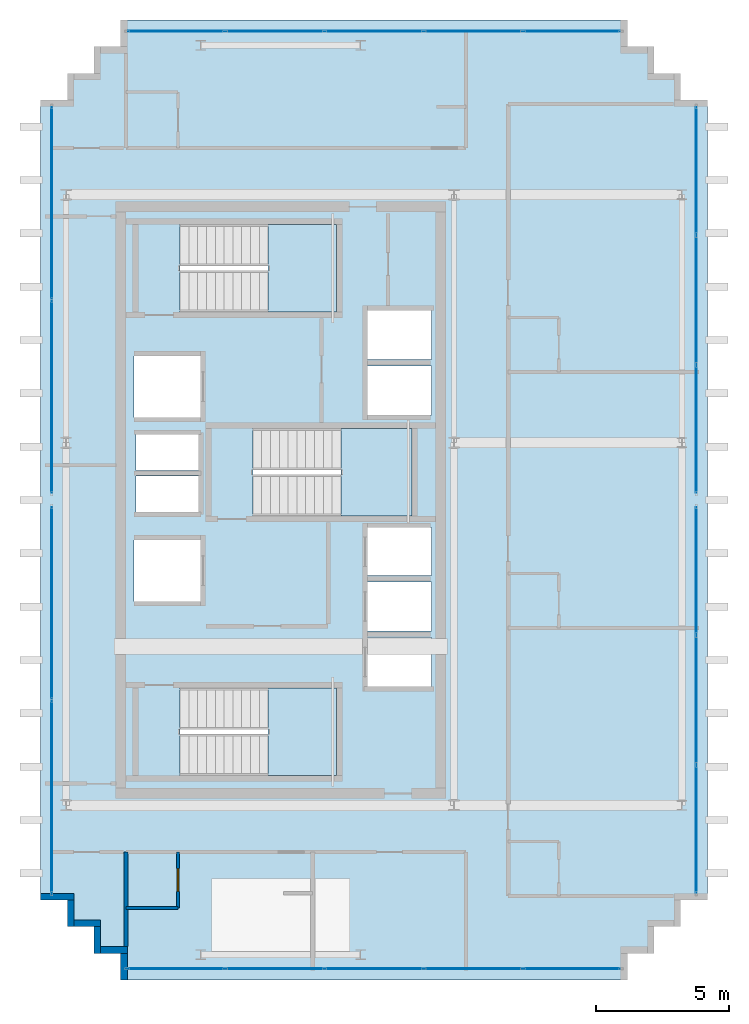
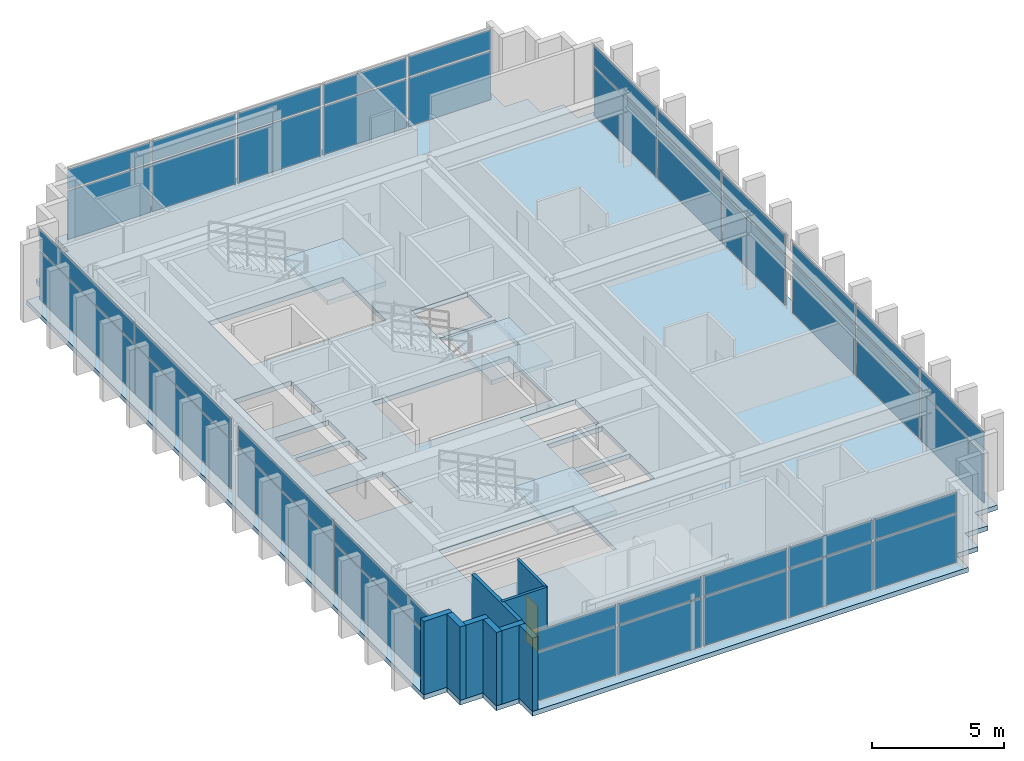
# One storey, part 11 of 15: 40 plates, 9 walls, 4 slabs, 1 door, 1 opening, 9 elements without a shape of their own.
"""IFC4 building model written with IfcOpenShell, lengths in metres."""

from ifc_helpers import new_model, si_unit, direction, frame, frame_2d, origin, origin_2d, place, context, subcontext, project, spatial, polyline, rectangle, outline, extrude, source, transform, mapped, material, layer, layer_set, type_object, element, fill, aggregate, save


model = new_model("IFC4")

# Units and contexts
model_context = context("Model", 3, precision=1e-05, world=origin(), true_north=direction((0.0, 1.0)))
body_context = subcontext(model_context, "Body", "Model", "MODEL_VIEW")
ifc_project = project(units=[si_unit("LENGTHUNIT", "METRE"), si_unit("AREAUNIT", "SQUARE_METRE"), si_unit("VOLUMEUNIT", "CUBIC_METRE"), si_unit("PLANEANGLEUNIT", "RADIAN"), si_unit("MASSUNIT", "GRAM", prefix="KILO")], contexts=[model_context])

# Site, building, storey
site_placement = place(None, origin())
site = spatial("IfcSite", under=ifc_project, at=site_placement, CompositionType="ELEMENT")
building_placement = place(site_placement, origin())
building = spatial("IfcBuilding", under=site, at=building_placement, Name="Ocotamira Hotel", CompositionType="ELEMENT")
storey_placement = place(building_placement, frame((0.0, 0.0, 276.0)))
storey = spatial("IfcBuildingStorey", under=building, at=storey_placement, Name="L70", CompositionType="ELEMENT", Elevation=276.0)

# Stair, slab
ifc_material_1 = material(Name="Concrete C40/50", Category="concrete")
stair_type = type_object("IfcStairType", Name="ST-CORE-1560", PredefinedType="HALF_TURN_STAIR", material=ifc_material_1)
stair_1_placement = place(storey_placement, origin())
stair_1 = element("IfcStair", 1, at=stair_1_placement, inside=storey, type_object=stair_type, Name="L70 Exit Stair ST-1", PredefinedType="HALF_TURN_STAIR")
ifc_layer_1 = layer(ifc_material_1, 0.199951171875)
ifc_layer_set_1 = layer_set([ifc_layer_1], Name="Concrete C40/50")
slab_type_1 = type_object("IfcSlabType", Name="SLB-LAND-200", PredefinedType="LANDING", material=ifc_layer_set_1)
slab_1_placement = place(storey_placement, frame((0.0, 0.0, 1.60009765625)))
slab_1 = element("IfcSlab", 2, at=slab_1_placement, type_object=slab_type_1, Name="ST-1 landing 1", PredefinedType="LANDING", context=body_context, shape_type="SweptSolid", body=[
    extrude(outline(polyline([(16.530029296875, 15.669921875), (19.090087890625, 15.669921875), (19.090087890625, 18.949951171875), (16.530029296875, 18.949951171875), (16.530029296875, 15.669921875)])), origin(), (0.0, 0.0, 1.0), 0.199951171875),
])
aggregate(stair_1, [slab_1])

stair_2_placement = place(storey_placement, origin())
stair_2 = element("IfcStair", 3, at=stair_2_placement, inside=storey, type_object=stair_type, Name="L70 Exit Stair ST-2", PredefinedType="HALF_TURN_STAIR")
slab_2_placement = place(storey_placement, frame((0.0, 0.0, 1.60009765625)))
slab_2 = element("IfcSlab", 4, at=slab_2_placement, type_object=slab_type_1, Name="ST-2 landing 1", PredefinedType="LANDING", context=body_context, shape_type="SweptSolid", body=[
    extrude(outline(polyline([(16.530029296875, 33.050048828125), (19.090087890625, 33.050048828125), (19.090087890625, 36.330078125), (16.530029296875, 36.330078125), (16.530029296875, 33.050048828125)])), origin(), (0.0, 0.0, 1.0), 0.199951171875),
])
aggregate(stair_2, [slab_2])

stair_3_placement = place(storey_placement, origin())
stair_3 = element("IfcStair", 5, at=stair_3_placement, inside=storey, type_object=stair_type, Name="L70 Exit Stair ST-3", PredefinedType="HALF_TURN_STAIR")
slab_3_placement = place(storey_placement, frame((0.0, 0.0, 1.60009765625)))
slab_3 = element("IfcSlab", 6, at=slab_3_placement, type_object=slab_type_1, Name="ST-3 landing 1", PredefinedType="LANDING", context=body_context, shape_type="SweptSolid", body=[
    extrude(outline(polyline([(19.260009765625, 25.39990234375), (21.919921875, 25.39990234375), (21.919921875, 28.679931640625), (19.260009765625, 28.679931640625), (19.260009765625, 25.39990234375)])), origin(), (0.0, 0.0, 1.0), 0.199951171875),
])
aggregate(stair_3, [slab_3])

# Slab
ifc_layer_2 = layer(ifc_material_1, 0.219970703125)
ifc_layer_set_2 = layer_set([ifc_layer_2], Name="Concrete C40/50")
slab_type_2 = type_object("IfcSlabType", Name="SLB-UPP-220", PredefinedType="FLOOR", material=ifc_layer_set_2)
slab_4_placement = place(storey_placement, frame((0.0, 0.0, -0.219970703125)))
element("IfcSlab", 7, at=slab_4_placement, inside=storey, type_object=slab_type_2, Name="L70 Structural Floor Slab", PredefinedType="FLOOR", context=body_context, shape_type="SweptSolid", body=[
    extrude(outline(polyline([(11.0, 8.0), (30.0, 8.0), (30.0, 9.0), (31.0, 9.0), (31.0, 10.0), (32.0, 10.0), (32.0, 11.0), (33.0, 11.0), (33.0, 41.0), (32.0, 41.0), (32.0, 42.0), (31.0, 42.0), (31.0, 43.0), (30.0, 43.0), (30.0, 44.0), (11.0, 44.0), (11.0, 43.0), (10.0, 43.0), (10.0, 42.0), (9.0, 42.0), (9.0, 41.0), (8.0, 41.0), (8.0, 11.0), (9.0, 11.0), (9.0, 10.0), (10.0, 10.0), (10.0, 9.0), (11.0, 9.0), (11.0, 8.0)]), holes=[polyline([(13.22998046875, 15.669921875), (19.090087890625, 15.669921875), (19.090087890625, 18.949951171875), (13.22998046875, 18.949951171875), (13.22998046875, 15.669921875)]), polyline([(13.22998046875, 33.050048828125), (19.090087890625, 33.050048828125), (19.090087890625, 36.330078125), (13.22998046875, 36.330078125), (13.22998046875, 33.050048828125)]), polyline([(15.9599609375, 25.39990234375), (21.919921875, 25.39990234375), (21.919921875, 28.679931640625), (15.9599609375, 28.679931640625), (15.9599609375, 25.39990234375)]), polyline([(20.25, 19.0), (22.659912109375, 19.0), (22.659912109375, 20.85009765625), (20.25, 20.85009765625), (20.25, 19.0)]), polyline([(20.25, 21.080078125), (22.659912109375, 21.080078125), (22.659912109375, 22.929931640625), (20.25, 22.929931640625), (20.25, 21.080078125)]), polyline([(20.25, 23.159912109375), (22.659912109375, 23.159912109375), (22.659912109375, 24.9599609375), (20.25, 24.9599609375), (20.25, 23.159912109375)]), polyline([(20.25, 29.179931640625), (22.659912109375, 29.179931640625), (22.659912109375, 31.030029296875), (20.25, 31.030029296875), (20.25, 29.179931640625)]), polyline([(20.25, 31.260009765625), (22.659912109375, 31.260009765625), (22.659912109375, 33.110107421875), (20.25, 33.110107421875), (20.25, 31.260009765625)]), polyline([(11.5, 22.199951171875), (14.0, 22.199951171875), (14.0, 24.5), (11.5, 24.5), (11.5, 22.199951171875)]), polyline([(11.5, 29.10009765625), (14.0, 29.10009765625), (14.0, 31.39990234375), (11.5, 31.39990234375), (11.5, 29.10009765625)]), polyline([(11.580078125, 25.550048828125), (13.919921875, 25.550048828125), (13.919921875, 26.89990234375), (11.580078125, 26.89990234375), (11.580078125, 25.550048828125)]), polyline([(11.580078125, 27.10009765625), (13.919921875, 27.10009765625), (13.919921875, 28.449951171875), (11.580078125, 28.449951171875), (11.580078125, 27.10009765625)])]), origin(), (0.0, 0.0, 1.0), 0.219970703125),
])

# Curtain wall, plates
ifc_material_2 = material(Name="Anodised pale-metal aluminium and solar glass", Category="aluminium")
ifc_layer_3 = layer(ifc_material_2, 0.2099609375)
ifc_layer_set_3 = layer_set([ifc_layer_3], Name="Anodised pale-metal aluminium and solar glass")
curtain_wall_type = type_object("IfcCurtainWallType", Name="CW-SYS7-PEAK", PredefinedType="NOTDEFINED", material=ifc_layer_set_3)
curtain_wall_1_placement = place(storey_placement, origin())
curtain_wall_1 = element("IfcCurtainWall", 8, at=curtain_wall_1_placement, inside=storey, type_object=curtain_wall_type, Name="L70 Curtain Wall CW-7 CW-L70-W1", PredefinedType="NOTDEFINED")
ifc_material_3 = material(Name="Double-silver low-E insulated solar glass", Category="glass")
ifc_layer_4 = layer(ifc_material_3, 0.031982421875)
ifc_layer_set_4 = layer_set([ifc_layer_4], Name="Double-silver low-E insulated solar glass")
plate_type = type_object("IfcPlateType", Name="CWP-VISION-32", PredefinedType="CURTAIN_PANEL", material=ifc_layer_set_4)
shared_shape_1 = source(origin(), body_context, "Body", "SweptSolid", [
    extrude(rectangle(XDim=7.179931640625, YDim=0.031982421875, at=origin_2d()), origin(), (0.0, 0.0, 1.0), 2.237548828125),
])
plate_1_placement = place(storey_placement, frame((8.419921875, 14.8701171875, 0.0751953125), z_axis=(0.0, 0.0, 1.0), x_axis=(0.0, 1.0, 0.0)))
plate_1 = element("IfcPlate", 9, at=plate_1_placement, type_object=plate_type, Name="CW-7 panel 1.1", PredefinedType="CURTAIN_PANEL", context=body_context, shape_type="MappedRepresentation", body=[
    mapped(shared_shape_1, transform((0.0, 0.0, 0.0), scale=1.0)),
])
plate_2_placement = place(storey_placement, frame((8.419921875, 22.1298828125, 0.0751953125), z_axis=(0.0, 0.0, 1.0), x_axis=(0.0, 1.0, 0.0)))
plate_2 = element("IfcPlate", 10, at=plate_2_placement, type_object=plate_type, Name="CW-7 panel 2.1", PredefinedType="CURTAIN_PANEL", context=body_context, shape_type="MappedRepresentation", body=[
    mapped(shared_shape_1, transform((0.0, 0.0, 0.0), scale=1.0)),
])

curtain_wall_2_placement = place(storey_placement, origin())
curtain_wall_2 = element("IfcCurtainWall", 11, at=curtain_wall_2_placement, inside=storey, type_object=curtain_wall_type, Name="L70 Curtain Wall CW-7 CW-L70-W2", PredefinedType="NOTDEFINED")
plate_3_placement = place(storey_placement, frame((8.419921875, 29.8701171875, 0.0751953125), z_axis=(0.0, 0.0, 1.0), x_axis=(0.0, 1.0, 0.0)))
plate_3 = element("IfcPlate", 12, at=plate_3_placement, type_object=plate_type, Name="CW-7 panel 1.1", PredefinedType="CURTAIN_PANEL", context=body_context, shape_type="MappedRepresentation", body=[
    mapped(shared_shape_1, transform((0.0, 0.0, 0.0), scale=1.0)),
])
plate_4_placement = place(storey_placement, frame((8.419921875, 37.1298828125, 0.0751953125), z_axis=(0.0, 0.0, 1.0), x_axis=(0.0, 1.0, 0.0)))
plate_4 = element("IfcPlate", 13, at=plate_4_placement, type_object=plate_type, Name="CW-7 panel 2.1", PredefinedType="CURTAIN_PANEL", context=body_context, shape_type="MappedRepresentation", body=[
    mapped(shared_shape_1, transform((0.0, 0.0, 0.0), scale=1.0)),
])

# Plate
shared_shape_2 = source(origin(), body_context, "Body", "SweptSolid", [
    extrude(rectangle(XDim=7.179931640625, YDim=0.031982421875, at=origin_2d()), origin(), (0.0, 0.0, 1.0), 0.91748046875),
])
plate_5_placement = place(storey_placement, frame((8.419921875, 14.8701171875, 2.387451171875), z_axis=(0.0, 0.0, 1.0), x_axis=(0.0, 1.0, 0.0)))
plate_5 = element("IfcPlate", 14, at=plate_5_placement, type_object=plate_type, Name="CW-7 panel 1.2", PredefinedType="CURTAIN_PANEL", context=body_context, shape_type="MappedRepresentation", body=[
    mapped(shared_shape_2, transform((0.0, 0.0, 0.0), scale=1.0)),
])

plate_6_placement = place(storey_placement, frame((8.419921875, 22.1298828125, 2.387451171875), z_axis=(0.0, 0.0, 1.0), x_axis=(0.0, 1.0, 0.0)))
plate_6 = element("IfcPlate", 15, at=plate_6_placement, type_object=plate_type, Name="CW-7 panel 2.2", PredefinedType="CURTAIN_PANEL", context=body_context, shape_type="MappedRepresentation", body=[
    mapped(shared_shape_2, transform((0.0, 0.0, 0.0), scale=1.0)),
])

aggregate(curtain_wall_1, [plate_1, plate_5, plate_2, plate_6])

plate_7_placement = place(storey_placement, frame((8.419921875, 29.8701171875, 2.387451171875), z_axis=(0.0, 0.0, 1.0), x_axis=(0.0, 1.0, 0.0)))
plate_7 = element("IfcPlate", 16, at=plate_7_placement, type_object=plate_type, Name="CW-7 panel 1.2", PredefinedType="CURTAIN_PANEL", context=body_context, shape_type="MappedRepresentation", body=[
    mapped(shared_shape_2, transform((0.0, 0.0, 0.0), scale=1.0)),
])

plate_8_placement = place(storey_placement, frame((8.419921875, 37.1298828125, 2.387451171875), z_axis=(0.0, 0.0, 1.0), x_axis=(0.0, 1.0, 0.0)))
plate_8 = element("IfcPlate", 17, at=plate_8_placement, type_object=plate_type, Name="CW-7 panel 2.2", PredefinedType="CURTAIN_PANEL", context=body_context, shape_type="MappedRepresentation", body=[
    mapped(shared_shape_2, transform((0.0, 0.0, 0.0), scale=1.0)),
])

aggregate(curtain_wall_2, [plate_3, plate_7, plate_4, plate_8])

# Curtain wall, plates
curtain_wall_3_placement = place(storey_placement, origin())
curtain_wall_3 = element("IfcCurtainWall", 18, at=curtain_wall_3_placement, inside=storey, type_object=curtain_wall_type, Name="L70 Curtain Wall CW-7 CW-L70-S1", PredefinedType="NOTDEFINED")
shared_shape_3 = source(origin(), body_context, "Body", "SweptSolid", [
    extrude(rectangle(XDim=3.60009765625, YDim=0.031982421875, at=origin_2d()), origin(), (0.0, 0.0, 1.0), 2.237548828125),
])
plate_9_placement = place(storey_placement, frame((13.080078125, 8.419921875, 0.0751953125), z_axis=(0.0, 0.0, 1.0), x_axis=(1.0, 0.0, 0.0)))
plate_9 = element("IfcPlate", 19, at=plate_9_placement, type_object=plate_type, Name="CW-7 panel 1.1", PredefinedType="CURTAIN_PANEL", context=body_context, shape_type="MappedRepresentation", body=[
    mapped(shared_shape_3, transform((0.0, 0.0, 0.0), scale=1.0)),
])
plate_10_placement = place(storey_placement, frame((27.919921875, 8.419921875, 0.0751953125), z_axis=(0.0, 0.0, 1.0), x_axis=(1.0, 0.0, 0.0)))
plate_10 = element("IfcPlate", 20, at=plate_10_placement, type_object=plate_type, Name="CW-7 panel 5.1", PredefinedType="CURTAIN_PANEL", context=body_context, shape_type="MappedRepresentation", body=[
    mapped(shared_shape_3, transform((0.0, 0.0, 0.0), scale=1.0)),
])

curtain_wall_4_placement = place(storey_placement, origin())
curtain_wall_4 = element("IfcCurtainWall", 21, at=curtain_wall_4_placement, inside=storey, type_object=curtain_wall_type, Name="L70 Curtain Wall CW-7 CW-L70-N", PredefinedType="NOTDEFINED")
plate_11_placement = place(storey_placement, frame((13.080078125, 43.580078125, 0.0751953125), z_axis=(0.0, 0.0, 1.0), x_axis=(1.0, 0.0, 0.0)))
plate_11 = element("IfcPlate", 22, at=plate_11_placement, type_object=plate_type, Name="CW-7 panel 1.1", PredefinedType="CURTAIN_PANEL", context=body_context, shape_type="MappedRepresentation", body=[
    mapped(shared_shape_3, transform((0.0, 0.0, 0.0), scale=1.0)),
])
plate_12_placement = place(storey_placement, frame((27.919921875, 43.580078125, 0.0751953125), z_axis=(0.0, 0.0, 1.0), x_axis=(1.0, 0.0, 0.0)))
plate_12 = element("IfcPlate", 23, at=plate_12_placement, type_object=plate_type, Name="CW-7 panel 5.1", PredefinedType="CURTAIN_PANEL", context=body_context, shape_type="MappedRepresentation", body=[
    mapped(shared_shape_3, transform((0.0, 0.0, 0.0), scale=1.0)),
])

# Plate
shared_shape_4 = source(origin(), body_context, "Body", "SweptSolid", [
    extrude(rectangle(XDim=3.60009765625, YDim=0.031982421875, at=origin_2d()), origin(), (0.0, 0.0, 1.0), 0.91748046875),
])
plate_13_placement = place(storey_placement, frame((13.080078125, 8.419921875, 2.387451171875), z_axis=(0.0, 0.0, 1.0), x_axis=(1.0, 0.0, 0.0)))
plate_13 = element("IfcPlate", 24, at=plate_13_placement, type_object=plate_type, Name="CW-7 panel 1.2", PredefinedType="CURTAIN_PANEL", context=body_context, shape_type="MappedRepresentation", body=[
    mapped(shared_shape_4, transform((0.0, 0.0, 0.0), scale=1.0)),
])

plate_14_placement = place(storey_placement, frame((27.919921875, 8.419921875, 2.387451171875), z_axis=(0.0, 0.0, 1.0), x_axis=(1.0, 0.0, 0.0)))
plate_14 = element("IfcPlate", 25, at=plate_14_placement, type_object=plate_type, Name="CW-7 panel 5.2", PredefinedType="CURTAIN_PANEL", context=body_context, shape_type="MappedRepresentation", body=[
    mapped(shared_shape_4, transform((0.0, 0.0, 0.0), scale=1.0)),
])

plate_15_placement = place(storey_placement, frame((13.080078125, 43.580078125, 2.387451171875), z_axis=(0.0, 0.0, 1.0), x_axis=(1.0, 0.0, 0.0)))
plate_15 = element("IfcPlate", 26, at=plate_15_placement, type_object=plate_type, Name="CW-7 panel 1.2", PredefinedType="CURTAIN_PANEL", context=body_context, shape_type="MappedRepresentation", body=[
    mapped(shared_shape_4, transform((0.0, 0.0, 0.0), scale=1.0)),
])

plate_16_placement = place(storey_placement, frame((27.919921875, 43.580078125, 2.387451171875), z_axis=(0.0, 0.0, 1.0), x_axis=(1.0, 0.0, 0.0)))
plate_16 = element("IfcPlate", 27, at=plate_16_placement, type_object=plate_type, Name="CW-7 panel 5.2", PredefinedType="CURTAIN_PANEL", context=body_context, shape_type="MappedRepresentation", body=[
    mapped(shared_shape_4, transform((0.0, 0.0, 0.0), scale=1.0)),
])

shared_shape_5 = source(origin(), body_context, "Body", "SweptSolid", [
    extrude(rectangle(XDim=3.639892578125, YDim=0.031982421875, at=origin_2d()), origin(), (0.0, 0.0, 1.0), 2.237548828125),
])
plate_17_placement = place(storey_placement, frame((16.780029296875, 8.419921875, 0.0751953125), z_axis=(0.0, 0.0, 1.0), x_axis=(1.0, 0.0, 0.0)))
plate_17 = element("IfcPlate", 28, at=plate_17_placement, type_object=plate_type, Name="CW-7 panel 2.1", PredefinedType="CURTAIN_PANEL", context=body_context, shape_type="MappedRepresentation", body=[
    mapped(shared_shape_5, transform((0.0, 0.0, 0.0), scale=1.0)),
])

plate_18_placement = place(storey_placement, frame((20.5, 8.419921875, 0.0751953125), z_axis=(0.0, 0.0, 1.0), x_axis=(1.0, 0.0, 0.0)))
plate_18 = element("IfcPlate", 29, at=plate_18_placement, type_object=plate_type, Name="CW-7 panel 3.1", PredefinedType="CURTAIN_PANEL", context=body_context, shape_type="MappedRepresentation", body=[
    mapped(shared_shape_5, transform((0.0, 0.0, 0.0), scale=1.0)),
])

plate_19_placement = place(storey_placement, frame((24.219970703125, 8.419921875, 0.0751953125), z_axis=(0.0, 0.0, 1.0), x_axis=(1.0, 0.0, 0.0)))
plate_19 = element("IfcPlate", 30, at=plate_19_placement, type_object=plate_type, Name="CW-7 panel 4.1", PredefinedType="CURTAIN_PANEL", context=body_context, shape_type="MappedRepresentation", body=[
    mapped(shared_shape_5, transform((0.0, 0.0, 0.0), scale=1.0)),
])

plate_20_placement = place(storey_placement, frame((16.780029296875, 43.580078125, 0.0751953125), z_axis=(0.0, 0.0, 1.0), x_axis=(1.0, 0.0, 0.0)))
plate_20 = element("IfcPlate", 31, at=plate_20_placement, type_object=plate_type, Name="CW-7 panel 2.1", PredefinedType="CURTAIN_PANEL", context=body_context, shape_type="MappedRepresentation", body=[
    mapped(shared_shape_5, transform((0.0, 0.0, 0.0), scale=1.0)),
])

plate_21_placement = place(storey_placement, frame((20.5, 43.580078125, 0.0751953125), z_axis=(0.0, 0.0, 1.0), x_axis=(1.0, 0.0, 0.0)))
plate_21 = element("IfcPlate", 32, at=plate_21_placement, type_object=plate_type, Name="CW-7 panel 3.1", PredefinedType="CURTAIN_PANEL", context=body_context, shape_type="MappedRepresentation", body=[
    mapped(shared_shape_5, transform((0.0, 0.0, 0.0), scale=1.0)),
])

plate_22_placement = place(storey_placement, frame((24.219970703125, 43.580078125, 0.0751953125), z_axis=(0.0, 0.0, 1.0), x_axis=(1.0, 0.0, 0.0)))
plate_22 = element("IfcPlate", 33, at=plate_22_placement, type_object=plate_type, Name="CW-7 panel 4.1", PredefinedType="CURTAIN_PANEL", context=body_context, shape_type="MappedRepresentation", body=[
    mapped(shared_shape_5, transform((0.0, 0.0, 0.0), scale=1.0)),
])

shared_shape_6 = source(origin(), body_context, "Body", "SweptSolid", [
    extrude(rectangle(XDim=3.639892578125, YDim=0.031982421875, at=origin_2d()), origin(), (0.0, 0.0, 1.0), 0.91748046875),
])
plate_23_placement = place(storey_placement, frame((16.780029296875, 8.419921875, 2.387451171875), z_axis=(0.0, 0.0, 1.0), x_axis=(1.0, 0.0, 0.0)))
plate_23 = element("IfcPlate", 34, at=plate_23_placement, type_object=plate_type, Name="CW-7 panel 2.2", PredefinedType="CURTAIN_PANEL", context=body_context, shape_type="MappedRepresentation", body=[
    mapped(shared_shape_6, transform((0.0, 0.0, 0.0), scale=1.0)),
])

plate_24_placement = place(storey_placement, frame((20.5, 8.419921875, 2.387451171875), z_axis=(0.0, 0.0, 1.0), x_axis=(1.0, 0.0, 0.0)))
plate_24 = element("IfcPlate", 35, at=plate_24_placement, type_object=plate_type, Name="CW-7 panel 3.2", PredefinedType="CURTAIN_PANEL", context=body_context, shape_type="MappedRepresentation", body=[
    mapped(shared_shape_6, transform((0.0, 0.0, 0.0), scale=1.0)),
])

plate_25_placement = place(storey_placement, frame((24.219970703125, 8.419921875, 2.387451171875), z_axis=(0.0, 0.0, 1.0), x_axis=(1.0, 0.0, 0.0)))
plate_25 = element("IfcPlate", 36, at=plate_25_placement, type_object=plate_type, Name="CW-7 panel 4.2", PredefinedType="CURTAIN_PANEL", context=body_context, shape_type="MappedRepresentation", body=[
    mapped(shared_shape_6, transform((0.0, 0.0, 0.0), scale=1.0)),
])

aggregate(curtain_wall_3, [plate_9, plate_13, plate_17, plate_23, plate_18, plate_24, plate_19, plate_25, plate_10, plate_14])

plate_26_placement = place(storey_placement, frame((16.780029296875, 43.580078125, 2.387451171875), z_axis=(0.0, 0.0, 1.0), x_axis=(1.0, 0.0, 0.0)))
plate_26 = element("IfcPlate", 37, at=plate_26_placement, type_object=plate_type, Name="CW-7 panel 2.2", PredefinedType="CURTAIN_PANEL", context=body_context, shape_type="MappedRepresentation", body=[
    mapped(shared_shape_6, transform((0.0, 0.0, 0.0), scale=1.0)),
])

plate_27_placement = place(storey_placement, frame((20.5, 43.580078125, 2.387451171875), z_axis=(0.0, 0.0, 1.0), x_axis=(1.0, 0.0, 0.0)))
plate_27 = element("IfcPlate", 38, at=plate_27_placement, type_object=plate_type, Name="CW-7 panel 3.2", PredefinedType="CURTAIN_PANEL", context=body_context, shape_type="MappedRepresentation", body=[
    mapped(shared_shape_6, transform((0.0, 0.0, 0.0), scale=1.0)),
])

plate_28_placement = place(storey_placement, frame((24.219970703125, 43.580078125, 2.387451171875), z_axis=(0.0, 0.0, 1.0), x_axis=(1.0, 0.0, 0.0)))
plate_28 = element("IfcPlate", 39, at=plate_28_placement, type_object=plate_type, Name="CW-7 panel 4.2", PredefinedType="CURTAIN_PANEL", context=body_context, shape_type="MappedRepresentation", body=[
    mapped(shared_shape_6, transform((0.0, 0.0, 0.0), scale=1.0)),
])

aggregate(curtain_wall_4, [plate_11, plate_15, plate_20, plate_26, plate_21, plate_27, plate_22, plate_28, plate_12, plate_16])

# Curtain wall, plates
curtain_wall_5_placement = place(storey_placement, origin())
curtain_wall_5 = element("IfcCurtainWall", 40, at=curtain_wall_5_placement, inside=storey, type_object=curtain_wall_type, Name="L70 Curtain Wall CW-7 CW-L70-E1", PredefinedType="NOTDEFINED")
shared_shape_7 = source(origin(), body_context, "Body", "SweptSolid", [
    extrude(rectangle(XDim=4.74658203125, YDim=0.031982421875, at=origin_2d()), origin(), (0.0, 0.0, 1.0), 2.237548828125),
])
plate_29_placement = place(storey_placement, frame((32.580078125, 13.6533203125, 0.0751953125), z_axis=(0.0, 0.0, 1.0), x_axis=(0.0, 1.0, 0.0)))
plate_29 = element("IfcPlate", 41, at=plate_29_placement, type_object=plate_type, Name="CW-7 panel 1.1", PredefinedType="CURTAIN_PANEL", context=body_context, shape_type="MappedRepresentation", body=[
    mapped(shared_shape_7, transform((0.0, 0.0, 0.0), scale=1.0)),
])
plate_30_placement = place(storey_placement, frame((32.580078125, 23.3466796875, 0.0751953125), z_axis=(0.0, 0.0, 1.0), x_axis=(0.0, 1.0, 0.0)))
plate_30 = element("IfcPlate", 42, at=plate_30_placement, type_object=plate_type, Name="CW-7 panel 3.1", PredefinedType="CURTAIN_PANEL", context=body_context, shape_type="MappedRepresentation", body=[
    mapped(shared_shape_7, transform((0.0, 0.0, 0.0), scale=1.0)),
])

curtain_wall_6_placement = place(storey_placement, origin())
curtain_wall_6 = element("IfcCurtainWall", 43, at=curtain_wall_6_placement, inside=storey, type_object=curtain_wall_type, Name="L70 Curtain Wall CW-7 CW-L70-E2", PredefinedType="NOTDEFINED")
plate_31_placement = place(storey_placement, frame((32.580078125, 28.6533203125, 0.0751953125), z_axis=(0.0, 0.0, 1.0), x_axis=(0.0, 1.0, 0.0)))
plate_31 = element("IfcPlate", 44, at=plate_31_placement, type_object=plate_type, Name="CW-7 panel 1.1", PredefinedType="CURTAIN_PANEL", context=body_context, shape_type="MappedRepresentation", body=[
    mapped(shared_shape_7, transform((0.0, 0.0, 0.0), scale=1.0)),
])
plate_32_placement = place(storey_placement, frame((32.580078125, 38.3466796875, 0.0751953125), z_axis=(0.0, 0.0, 1.0), x_axis=(0.0, 1.0, 0.0)))
plate_32 = element("IfcPlate", 45, at=plate_32_placement, type_object=plate_type, Name="CW-7 panel 3.1", PredefinedType="CURTAIN_PANEL", context=body_context, shape_type="MappedRepresentation", body=[
    mapped(shared_shape_7, transform((0.0, 0.0, 0.0), scale=1.0)),
])

# Plate
shared_shape_8 = source(origin(), body_context, "Body", "SweptSolid", [
    extrude(rectangle(XDim=4.74658203125, YDim=0.031982421875, at=origin_2d()), origin(), (0.0, 0.0, 1.0), 0.91748046875),
])
plate_33_placement = place(storey_placement, frame((32.580078125, 13.6533203125, 2.387451171875), z_axis=(0.0, 0.0, 1.0), x_axis=(0.0, 1.0, 0.0)))
plate_33 = element("IfcPlate", 46, at=plate_33_placement, type_object=plate_type, Name="CW-7 panel 1.2", PredefinedType="CURTAIN_PANEL", context=body_context, shape_type="MappedRepresentation", body=[
    mapped(shared_shape_8, transform((0.0, 0.0, 0.0), scale=1.0)),
])

plate_34_placement = place(storey_placement, frame((32.580078125, 23.3466796875, 2.387451171875), z_axis=(0.0, 0.0, 1.0), x_axis=(0.0, 1.0, 0.0)))
plate_34 = element("IfcPlate", 47, at=plate_34_placement, type_object=plate_type, Name="CW-7 panel 3.2", PredefinedType="CURTAIN_PANEL", context=body_context, shape_type="MappedRepresentation", body=[
    mapped(shared_shape_8, transform((0.0, 0.0, 0.0), scale=1.0)),
])

plate_35_placement = place(storey_placement, frame((32.580078125, 28.6533203125, 2.387451171875), z_axis=(0.0, 0.0, 1.0), x_axis=(0.0, 1.0, 0.0)))
plate_35 = element("IfcPlate", 48, at=plate_35_placement, type_object=plate_type, Name="CW-7 panel 1.2", PredefinedType="CURTAIN_PANEL", context=body_context, shape_type="MappedRepresentation", body=[
    mapped(shared_shape_8, transform((0.0, 0.0, 0.0), scale=1.0)),
])

plate_36_placement = place(storey_placement, frame((32.580078125, 38.3466796875, 2.387451171875), z_axis=(0.0, 0.0, 1.0), x_axis=(0.0, 1.0, 0.0)))
plate_36 = element("IfcPlate", 49, at=plate_36_placement, type_object=plate_type, Name="CW-7 panel 3.2", PredefinedType="CURTAIN_PANEL", context=body_context, shape_type="MappedRepresentation", body=[
    mapped(shared_shape_8, transform((0.0, 0.0, 0.0), scale=1.0)),
])

shared_shape_9 = source(origin(), body_context, "Body", "SweptSolid", [
    extrude(rectangle(XDim=4.78662109375, YDim=0.031982421875, at=origin_2d()), origin(), (0.0, 0.0, 1.0), 2.237548828125),
])
plate_37_placement = place(storey_placement, frame((32.580078125, 18.5, 0.0751953125), z_axis=(0.0, 0.0, 1.0), x_axis=(0.0, 1.0, 0.0)))
plate_37 = element("IfcPlate", 50, at=plate_37_placement, type_object=plate_type, Name="CW-7 panel 2.1", PredefinedType="CURTAIN_PANEL", context=body_context, shape_type="MappedRepresentation", body=[
    mapped(shared_shape_9, transform((0.0, 0.0, 0.0), scale=1.0)),
])

plate_38_placement = place(storey_placement, frame((32.580078125, 33.5, 0.0751953125), z_axis=(0.0, 0.0, 1.0), x_axis=(0.0, 1.0, 0.0)))
plate_38 = element("IfcPlate", 51, at=plate_38_placement, type_object=plate_type, Name="CW-7 panel 2.1", PredefinedType="CURTAIN_PANEL", context=body_context, shape_type="MappedRepresentation", body=[
    mapped(shared_shape_9, transform((0.0, 0.0, 0.0), scale=1.0)),
])

shared_shape_10 = source(origin(), body_context, "Body", "SweptSolid", [
    extrude(rectangle(XDim=4.78662109375, YDim=0.031982421875, at=origin_2d()), origin(), (0.0, 0.0, 1.0), 0.91748046875),
])
plate_39_placement = place(storey_placement, frame((32.580078125, 18.5, 2.387451171875), z_axis=(0.0, 0.0, 1.0), x_axis=(0.0, 1.0, 0.0)))
plate_39 = element("IfcPlate", 52, at=plate_39_placement, type_object=plate_type, Name="CW-7 panel 2.2", PredefinedType="CURTAIN_PANEL", context=body_context, shape_type="MappedRepresentation", body=[
    mapped(shared_shape_10, transform((0.0, 0.0, 0.0), scale=1.0)),
])

aggregate(curtain_wall_5, [plate_29, plate_33, plate_37, plate_39, plate_30, plate_34])

plate_40_placement = place(storey_placement, frame((32.580078125, 33.5, 2.387451171875), z_axis=(0.0, 0.0, 1.0), x_axis=(0.0, 1.0, 0.0)))
plate_40 = element("IfcPlate", 53, at=plate_40_placement, type_object=plate_type, Name="CW-7 panel 2.2", PredefinedType="CURTAIN_PANEL", context=body_context, shape_type="MappedRepresentation", body=[
    mapped(shared_shape_10, transform((0.0, 0.0, 0.0), scale=1.0)),
])

aggregate(curtain_wall_6, [plate_31, plate_35, plate_38, plate_40, plate_32, plate_36])

# Walls
ifc_material_4 = material(Name="Precast concrete C45/55", Category="concrete")
ifc_layer_5 = layer(ifc_material_4, 0.25)
ifc_layer_set_5 = layer_set([ifc_layer_5], Name="Precast concrete C45/55")
wall_type_1 = type_object("IfcWallType", Name="WL-EXT-SER-250", PredefinedType="SOLIDWALL", material=ifc_layer_set_5)
wall_1_placement = place(storey_placement, frame((8.0, 11.125, 0.0), z_axis=(0.0, 0.0, 1.0), x_axis=(1.0, 0.0, 0.0)))
element("IfcWall", 54, at=wall_1_placement, inside=storey, type_object=wall_type_1, Name="L70 Serrated Corner Wall 19", PredefinedType="SOLIDWALL", context=body_context, shape_type="SweptSolid", body=[
    extrude(rectangle(XDim=1.25, YDim=0.25, at=frame_2d((0.625, 0.0))), origin(), (0.0, 0.0, 1.0), 3.3798828125),
])
for number, where, z_axis, x_axis, name in (
    (55, (9.125, 11.0, 0.0), (0.0, 0.0, 1.0), (0.0, -1.0, 0.0), "L70 Serrated Corner Wall 20"),
    (56, (9.25, 10.125, 0.0), (0.0, 0.0, 1.0), (1.0, 0.0, 0.0), "L70 Serrated Corner Wall 21"),
    (57, (10.125, 10.0, 0.0), (0.0, 0.0, 1.0), (0.0, -1.0, 0.0), "L70 Serrated Corner Wall 22"),
    (58, (10.25, 9.125, 0.0), (0.0, 0.0, 1.0), (1.0, 0.0, 0.0), "L70 Serrated Corner Wall 23"),
    (59, (11.125, 9.0, 0.0), (0.0, 0.0, 1.0), (0.0, -1.0, 0.0), "L70 Serrated Corner Wall 24"),
):
    element("IfcWall", number, at=place(storey_placement, frame(where, z_axis=z_axis, x_axis=x_axis)), inside=storey, type_object=wall_type_1, Name=name, PredefinedType="SOLIDWALL", context=body_context, shape_type="SweptSolid", body=[
        extrude(rectangle(XDim=1.0, YDim=0.25, at=frame_2d((0.5, 0.0))), origin(), (0.0, 0.0, 1.0), 3.3798828125),
    ])

# Wall, opening, door
ifc_material_5 = material(Name="Moisture-resistant en-suite tile and gypsum partition", Category="gypsum")
ifc_layer_6 = layer(ifc_material_5, 0.1201171875)
ifc_layer_set_6 = layer_set([ifc_layer_6], Name="Moisture-resistant en-suite tile and gypsum partition")
wall_type_2 = type_object("IfcWallType", Name="WL-PART-120", PredefinedType="PARTITIONING", material=ifc_layer_set_6)
wall_2_placement = place(storey_placement, frame((13.14990234375, 10.699951171875, 0.0), z_axis=(0.0, 0.0, 1.0), x_axis=(0.0, 1.0, 0.0)))
wall_2 = element("IfcWall", 60, at=wall_2_placement, inside=storey, type_object=wall_type_2, Name="L70 Interior Wall PW-L70-WP0S-BAE1", PredefinedType="PARTITIONING", context=body_context, shape_type="SweptSolid", body=[
    extrude(rectangle(XDim=2.10009765625, YDim=0.1201171875, at=frame_2d((1.050048828125, 0.0))), origin(), (0.0, 0.0, 1.0), 3.3798828125),
])
opening_placement = place(wall_2_placement, frame((0.6201171875, 0.0, 0.0)))
opening = element("IfcOpeningElement", 61, at=opening_placement, cuts=wall_2, Name="Opening D-BA1", PredefinedType="OPENING", context=body_context, shape_type="SweptSolid", body=[
    extrude(rectangle(XDim=0.860107421875, YDim=2.10009765625, at=frame_2d((0.43017578125, 1.050048828125))), frame((0.0, 0.070068359375, 0.0), z_axis=(0.0, -1.0, 0.0), x_axis=(1.0, 0.0, 0.0)), (0.0, 0.0, 1.0), 0.14013671875),
])
ifc_material_6 = material(Name="Moisture-sealed en-suite timber door", Category="wood")
door_type = type_object("IfcDoorType", Name="DR-BATH-860", OperationType="NOTDEFINED", PredefinedType="DOOR", material=ifc_material_6)
shared_shape_11 = source(origin(), body_context, "Body", "SweptSolid", [
    extrude(rectangle(XDim=0.860107421875, YDim=2.10009765625, at=frame_2d((0.43017578125, 1.050048828125))), frame((0.0, 0.02490234375, 0.0), z_axis=(0.0, -1.0, 0.0), x_axis=(1.0, 0.0, 0.0)), (0.0, 0.0, 1.0), 0.050048828125),
])
door_placement = place(opening_placement, origin())
door = element("IfcDoor", 62, at=door_placement, inside=storey, type_object=door_type, Name="L70 Door ID-L70-WP0S-BAD1 [ID-L70-WP0S-BAD1]", OperationType="SINGLE_SWING_RIGHT", OverallHeight=2.10009765625, OverallWidth=0.860107421875, PredefinedType="DOOR", context=body_context, shape_type="MappedRepresentation", body=[
    mapped(shared_shape_11, transform((0.0, 0.0, 0.0), scale=1.0)),
])
fill(opening, door)

# Walls
wall_3_placement = place(storey_placement, frame((11.199951171875, 10.699951171875, 0.0), z_axis=(0.0, 0.0, 1.0), x_axis=(1.0, 0.0, 0.0)))
element("IfcWall", 63, at=wall_3_placement, inside=storey, type_object=wall_type_2, Name="L70 Interior Wall PW-L70-WP0S-BAS1", PredefinedType="PARTITIONING", context=body_context, shape_type="SweptSolid", body=[
    extrude(rectangle(XDim=1.949951171875, YDim=0.1201171875, at=frame_2d((0.97509765625, 0.0))), origin(), (0.0, 0.0, 1.0), 3.3798828125),
])
ifc_material_7 = material(Name="Acoustic double-stud hospitality gypsum partition", Category="gypsum")
ifc_layer_7 = layer(ifc_material_7, 0.159912109375)
ifc_layer_set_7 = layer_set([ifc_layer_7], Name="Acoustic double-stud hospitality gypsum partition")
wall_type_3 = type_object("IfcWallType", Name="WL-PART-160", PredefinedType="PARTITIONING", material=ifc_layer_set_7)
wall_4_placement = place(storey_placement, frame((11.199951171875, 9.260009765625, 0.0), z_axis=(0.0, 0.0, 1.0), x_axis=(0.0, 1.0, 0.0)))
element("IfcWall", 64, at=wall_4_placement, inside=storey, type_object=wall_type_3, Name="L70 Interior Wall PW-L70-WP0S-PW0", PredefinedType="PARTITIONING", context=body_context, shape_type="SweptSolid", body=[
    extrude(rectangle(XDim=3.5400390625, YDim=0.159912109375, at=frame_2d((1.77001953125, 0.0))), origin(), (0.0, 0.0, 1.0), 3.3798828125),
])

save(model, "model.ifc")
